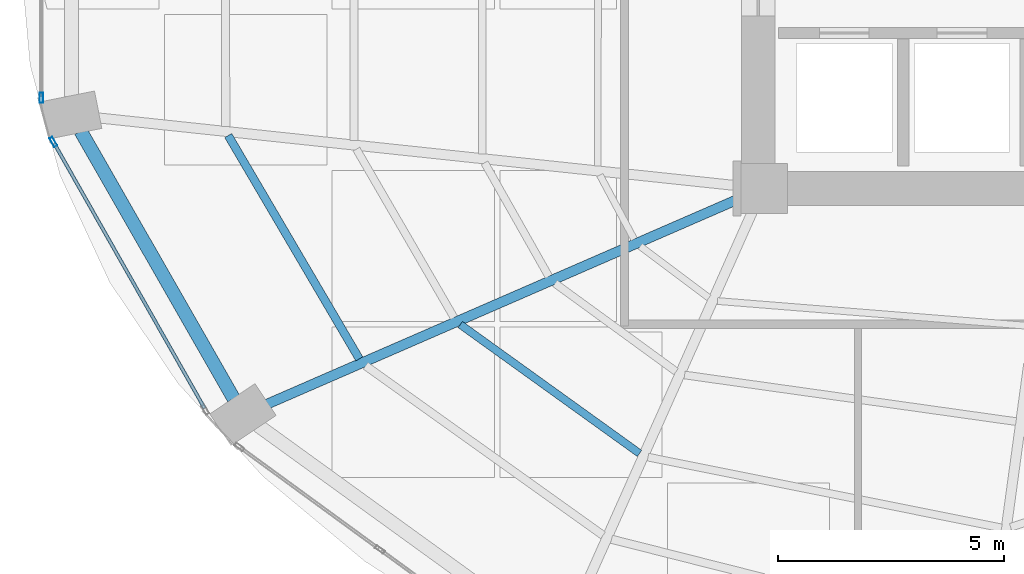
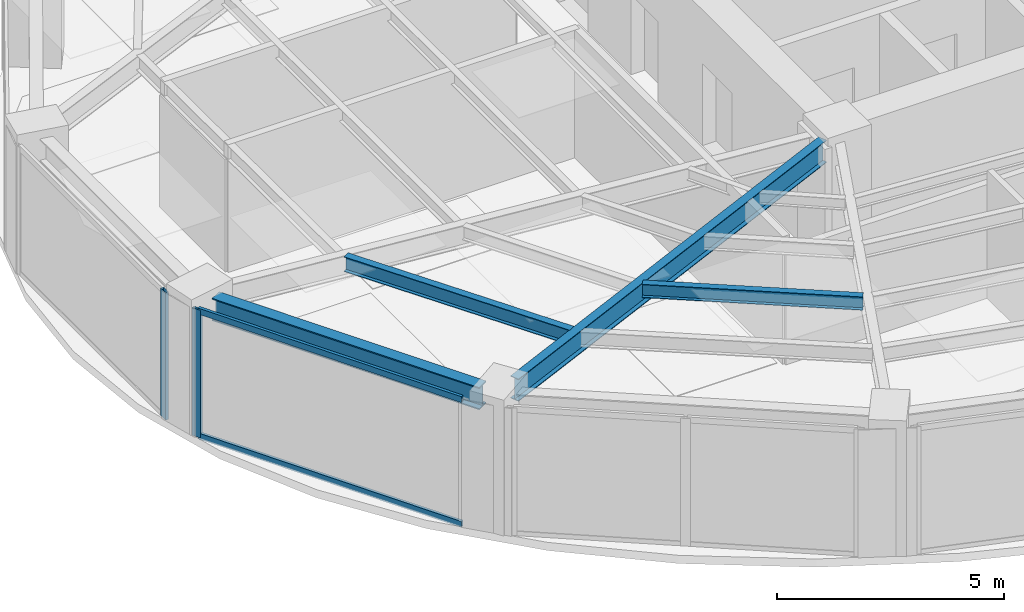
# One storey, part 3 of 23: 4 beams, 4 members, 2 elements without a shape of their own.
"""IFC4 building model written with IfcOpenShell, lengths in metres."""

from ifc_helpers import new_model, si_unit, direction, frame, origin, origin_2d, place, context, subcontext, project, spatial, hollow_rectangle, i_section, extrude, material, layer, layer_set, material_profile, profile_set, type_object, element, aggregate, save


model = new_model("IFC4")

# Units and contexts
model_context = context("Model", 3, precision=1e-05, world=origin(), true_north=direction((0.0, 1.0)))
body_context = subcontext(model_context, "Body", "Model", "MODEL_VIEW")
ifc_project = project(units=[si_unit("LENGTHUNIT", "METRE"), si_unit("AREAUNIT", "SQUARE_METRE"), si_unit("VOLUMEUNIT", "CUBIC_METRE"), si_unit("PLANEANGLEUNIT", "RADIAN"), si_unit("MASSUNIT", "GRAM", prefix="KILO")], contexts=[model_context])

# Site, building, storey
site_placement = place(None, origin())
site = spatial("IfcSite", under=ifc_project, at=site_placement, CompositionType="ELEMENT")
building_placement = place(site_placement, origin())
building = spatial("IfcBuilding", under=site, at=building_placement, Name="Lazwardi Medical Tower", CompositionType="ELEMENT")
storey_placement = place(building_placement, frame((0.0, 0.0, 125.52001953125)))
storey = spatial("IfcBuildingStorey", under=building, at=storey_placement, Name="L32", CompositionType="ELEMENT", Elevation=125.52001953125)

# Beams
ifc_material_1 = material(Name="Steel S355", Category="steel")
ifc_material_profile_1 = material_profile(ifc_material_1, i_section(OverallWidth=0.300048828125, OverallDepth=0.60009765625, WebThickness=0.015380859375, FlangeThickness=0.030029296875, at=origin_2d()), Name="HEB 600")
ifc_profile_set_1 = profile_set([ifc_material_profile_1], Name="Steel S355")
beam_type_1 = type_object("IfcBeamType", Name="BM-RB-Z2", PredefinedType="BEAM", material=ifc_profile_set_1)
beam_1_placement = place(storey_placement, frame((11.3408203125, 21.664306640625, 3.1279296875), z_axis=(0.496637551254, -0.867958030486, 0.0), x_axis=(0.867958030486, 0.496637551254, 0.0)))
element("IfcBeam", 1, at=beam_1_placement, inside=storey, type_object=beam_type_1, Name="Ring beam RB-03 B13 L32", PredefinedType="BEAM", context=body_context, shape_type="SweptSolid", body=[
    extrude(i_section(OverallWidth=0.300048828125, OverallDepth=0.60009765625, WebThickness=0.015380859375, FlangeThickness=0.030029296875, at=origin_2d()), origin(), (0.0, 0.0, 1.0), 6.801025390625),
])
ifc_material_profile_2 = material_profile(ifc_material_1, i_section(OverallWidth=0.219970703125, OverallDepth=0.60009765625, WebThickness=0.011962890625, FlangeThickness=0.01904296875, at=origin_2d()), Name="IPE 600")
ifc_profile_set_2 = profile_set([ifc_material_profile_2], Name="Steel S355")
beam_type_2 = type_object("IfcBeamType", Name="BM-RG-W1", PredefinedType="BEAM", material=ifc_profile_set_2)
beam_2_placement = place(storey_placement, frame((15.4541015625, 15.63671875, 3.1279296875), z_axis=(0.916941336121, 0.399022037127, 0.0), x_axis=(-0.399022037127, 0.916941336121, 0.0)))
element("IfcBeam", 2, at=beam_2_placement, inside=storey, type_object=beam_type_2, Name="Radial girder RG-02 R14 L32", PredefinedType="BEAM", context=body_context, shape_type="SweptSolid", body=[
    extrude(i_section(OverallWidth=0.219970703125, OverallDepth=0.60009765625, WebThickness=0.011962890625, FlangeThickness=0.01904296875, at=origin_2d()), origin(), (0.0, 0.0, 1.0), 11.40234375),
])
ifc_material_profile_3 = material_profile(ifc_material_1, i_section(OverallWidth=0.179931640625, OverallDepth=0.39990234375, WebThickness=0.008544921875, FlangeThickness=0.013427734375, at=origin_2d()), Name="IPE 400")
ifc_profile_set_3 = profile_set([ifc_material_profile_3], Name="Steel S355")
beam_type_3 = type_object("IfcBeamType", Name="BM-SJ-01", PredefinedType="JOIST", material=ifc_profile_set_3)
beam_3_placement = place(storey_placement, frame((14.597900390625, 21.56787109375, 3.22802734375), z_axis=(0.506195045201, -0.862419025888, 0.0), x_axis=(0.862419025888, 0.506195045201, 0.0)))
element("IfcBeam", 3, at=beam_3_placement, inside=storey, type_object=beam_type_3, Name="Secondary joist SJ-01 R1 B13 L32", PredefinedType="JOIST", context=body_context, shape_type="SweptSolid", body=[
    extrude(i_section(OverallWidth=0.179931640625, OverallDepth=0.39990234375, WebThickness=0.008544921875, FlangeThickness=0.013427734375, at=origin_2d()), origin(), (0.0, 0.0, 1.0), 5.71728515625),
])
ifc_material_profile_4 = material_profile(ifc_material_1, i_section(OverallWidth=0.169921875, OverallDepth=0.360107421875, WebThickness=0.008056640625, FlangeThickness=0.0126953125, at=origin_2d()), Name="IPE 360")
ifc_profile_set_4 = profile_set([ifc_material_profile_4], Name="Steel S355")
beam_type_4 = type_object("IfcBeamType", Name="BM-SJ-02", PredefinedType="JOIST", material=ifc_profile_set_4)
beam_4_placement = place(storey_placement, frame((19.721435546875, 17.395263671875, 3.248046875), z_axis=(0.811888517177, -0.583812500446, 0.0), x_axis=(0.583812500446, 0.811888517177, 0.0)))
element("IfcBeam", 4, at=beam_4_placement, inside=storey, type_object=beam_type_4, Name="Secondary joist SJ-02 R2 B14 L32", PredefinedType="JOIST", context=body_context, shape_type="SweptSolid", body=[
    extrude(i_section(OverallWidth=0.169921875, OverallDepth=0.360107421875, WebThickness=0.008056640625, FlangeThickness=0.0126953125, at=origin_2d()), origin(), (0.0, 0.0, 1.0), 4.874755859375),
])

# Curtain wall, member
ifc_material_2 = material(Name="Anodised bronze aluminium and solar control glazing", Category="aluminium")
ifc_layer = layer(ifc_material_2, 0.195068359375)
ifc_layer_set = layer_set([ifc_layer], Name="Anodised bronze aluminium and solar control glazing")
curtain_wall_type = type_object("IfcCurtainWallType", Name="CW-SYS-03", PredefinedType="NOTDEFINED", material=ifc_layer_set)
curtain_wall_1_placement = place(storey_placement, origin())
curtain_wall_1 = element("IfcCurtainWall", 5, at=curtain_wall_1_placement, inside=storey, type_object=curtain_wall_type, Name="L32 Unitised bronze curtain wall CW-03", PredefinedType="NOTDEFINED")
ifc_material_3 = material(Name="Anodised bronze aluminium", Category="aluminium")
ifc_material_profile_5 = material_profile(ifc_material_3, hollow_rectangle(XDim=0.074951171875, YDim=0.219970703125, WallThickness=0.00390625, at=origin_2d()), Name="ALU-MULLION 220x75x4")
ifc_profile_set_5 = profile_set([ifc_material_profile_5], Name="Anodised bronze aluminium")
member_type_1 = type_object("IfcMemberType", Name="CW-MUL-01", PredefinedType="MULLION", material=ifc_profile_set_5)
member_1_placement = place(storey_placement, frame((10.471923828125, 22.402587890625, 0.0), z_axis=(0.0, 0.0, 1.0), x_axis=(1.0, 0.0, 0.0)))
member_1 = element("IfcMember", 6, at=member_1_placement, type_object=member_type_1, Name="CW-03 mullion 2", PredefinedType="MULLION", context=body_context, shape_type="SweptSolid", body=[
    extrude(hollow_rectangle(XDim=0.074951171875, YDim=0.219970703125, WallThickness=0.00390625, at=origin_2d()), origin(), (0.0, 0.0, 1.0), 3.427978515625),
])
aggregate(curtain_wall_1, [member_1])

# Curtain wall, members
curtain_wall_2_placement = place(storey_placement, origin())
curtain_wall_2 = element("IfcCurtainWall", 7, at=curtain_wall_2_placement, inside=storey, type_object=curtain_wall_type, Name="L32 Unitised bronze curtain wall CW-03", PredefinedType="NOTDEFINED")
member_2_placement = place(storey_placement, frame((10.7373046875, 21.42626953125, 0.0), z_axis=(0.0, 0.0, 1.0), x_axis=(0.869687265712, 0.493603140041, 0.0)))
member_2 = element("IfcMember", 8, at=member_2_placement, type_object=member_type_1, Name="CW-03 mullion 1", PredefinedType="MULLION", context=body_context, shape_type="SweptSolid", body=[
    extrude(hollow_rectangle(XDim=0.074951171875, YDim=0.219970703125, WallThickness=0.00390625, at=origin_2d()), origin(), (0.0, 0.0, 1.0), 3.427978515625),
])
ifc_material_profile_6 = material_profile(ifc_material_3, hollow_rectangle(XDim=0.074951171875, YDim=0.159912109375, WallThickness=0.00390625, at=origin_2d()), Name="ALU-TRANSOM 160x75x4")
ifc_profile_set_6 = profile_set([ifc_material_profile_6], Name="Anodised bronze aluminium")
member_type_2 = type_object("IfcMemberType", Name="CW-TRN-01", PredefinedType="USERDEFINED", material=ifc_profile_set_6)
member_3_placement = place(storey_placement, frame((10.755859375, 21.3935546875, 0.03759765625), z_axis=(0.493614427365, -0.869680859337, 0.0), x_axis=(0.869680859337, 0.493614427365, 0.0)))
member_3 = element("IfcMember", 9, at=member_3_placement, type_object=member_type_2, Name="CW-03 transom 1.1", ObjectType="TRANSOM", PredefinedType="USERDEFINED", context=body_context, shape_type="SweptSolid", body=[
    extrude(hollow_rectangle(XDim=0.074951171875, YDim=0.159912109375, WallThickness=0.00390625, at=origin_2d()), origin(), (0.0, 0.0, 1.0), 6.72314453125),
])
member_4_placement = place(storey_placement, frame((10.755859375, 21.3935546875, 3.390380859375), z_axis=(0.493614427365, -0.869680859337, 0.0), x_axis=(0.869680859337, 0.493614427365, 0.0)))
member_4 = element("IfcMember", 10, at=member_4_placement, type_object=member_type_2, Name="CW-03 transom 1.2", ObjectType="TRANSOM", PredefinedType="USERDEFINED", context=body_context, shape_type="SweptSolid", body=[
    extrude(hollow_rectangle(XDim=0.074951171875, YDim=0.159912109375, WallThickness=0.00390625, at=origin_2d()), origin(), (0.0, 0.0, 1.0), 6.72314453125),
])
aggregate(curtain_wall_2, [member_2, member_3, member_4])

save(model, "model.ifc")
